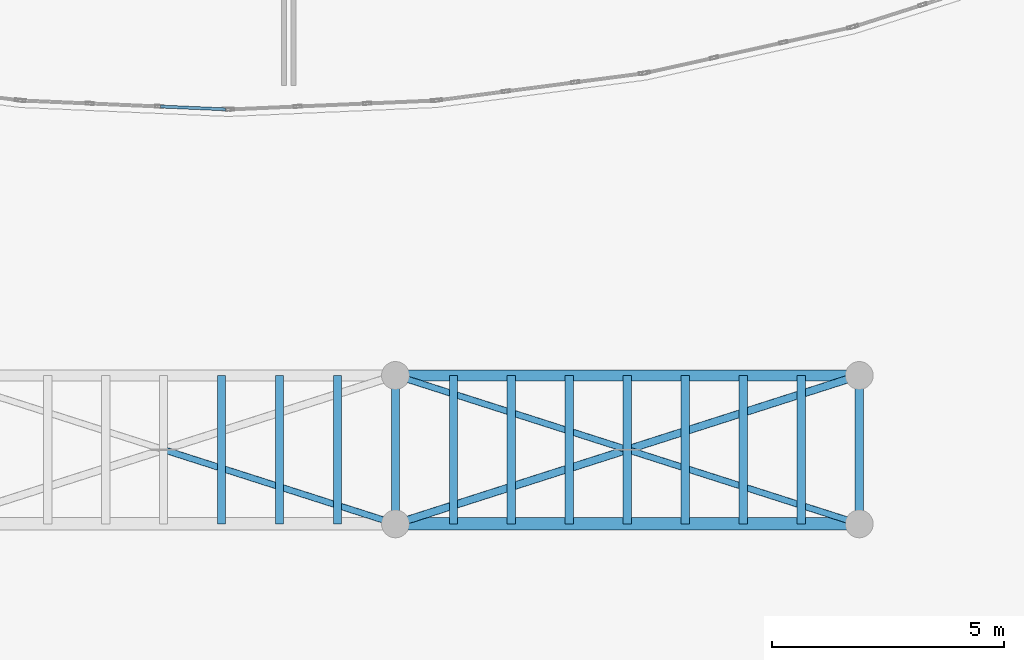
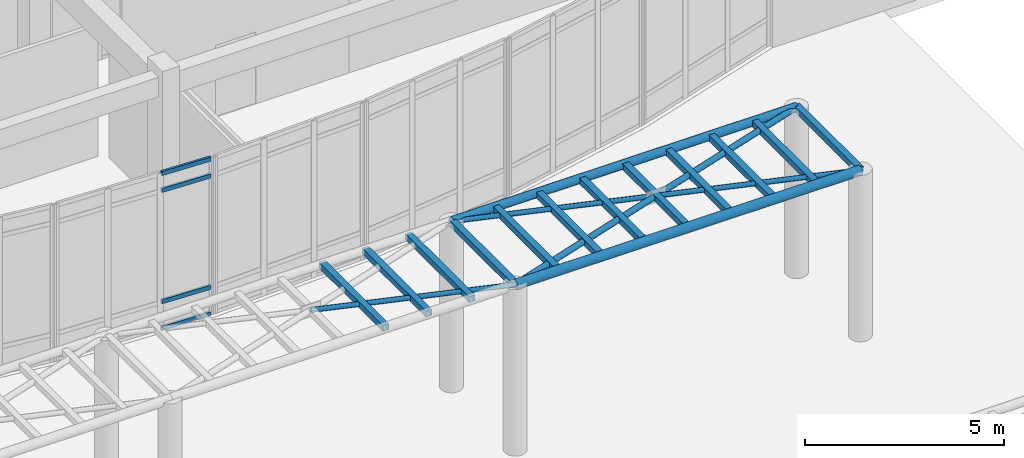
# One storey, part 56 of 121: 22 members, 1 element without a shape of its own.
"""IFC4 building model written with IfcOpenShell, lengths in metres."""

from ifc_helpers import new_model, si_unit, direction, frame, origin, origin_2d, place, context, subcontext, project, spatial, hollow_rectangle, hollow_circle, extrude, material, layer, layer_set, material_profile, profile_set, type_object, element, aggregate, save


model = new_model("IFC4")

# Units and contexts
model_context = context("Model", 3, precision=1e-05, world=origin(), true_north=direction((0.0, 1.0)))
body_context = subcontext(model_context, "Body", "Model", "MODEL_VIEW")
ifc_project = project(units=[si_unit("LENGTHUNIT", "METRE"), si_unit("AREAUNIT", "SQUARE_METRE"), si_unit("VOLUMEUNIT", "CUBIC_METRE"), si_unit("PLANEANGLEUNIT", "RADIAN"), si_unit("MASSUNIT", "GRAM", prefix="KILO")], contexts=[model_context])

# Site, building, storey
site_placement = place(None, origin())
site = spatial("IfcSite", under=ifc_project, at=site_placement, CompositionType="ELEMENT")
building_placement = place(site_placement, origin())
building = spatial("IfcBuilding", under=site, at=building_placement, Name="Valcora Specialist Clinic", CompositionType="ELEMENT")
storey_placement = place(building_placement, origin())
storey = spatial("IfcBuildingStorey", under=building, at=storey_placement, Name="L00", CompositionType="ELEMENT", Elevation=0.0)

# Curtain wall, members
ifc_material_1 = material(Name="Anodized Bronze Aluminium 6063-T6", Category="aluminium")
ifc_layer = layer(ifc_material_1, 0.175048828125)
ifc_layer_set = layer_set([ifc_layer], Name="Anodized Bronze Aluminium 6063-T6")
curtain_wall_type = type_object("IfcCurtainWallType", Name="TY-CW-ARC51", PredefinedType="NOTDEFINED", material=ifc_layer_set)
curtain_wall_placement = place(storey_placement, origin())
curtain_wall = element("IfcCurtainWall", 1, at=curtain_wall_placement, inside=storey, type_object=curtain_wall_type, Name="Curtain wall CW-L00-025", PredefinedType="NOTDEFINED")
ifc_material_profile_1 = material_profile(ifc_material_1, hollow_rectangle(XDim=0.06494140625, YDim=0.1298828125, WallThickness=0.00390625, at=origin_2d()), Name="AL-TRN-65X130")
ifc_profile_set_1 = profile_set([ifc_material_profile_1], Name="Anodized Bronze Aluminium 6063-T6")
member_type_1 = type_object("IfcMemberType", Name="TY-CWT-65X130", PredefinedType="USERDEFINED", material=ifc_profile_set_1)
member_1_placement = place(storey_placement, frame((110.3349609375, 70.93798828125, 0.032470703125), z_axis=(-0.999063713567, 0.043263104761, 0.0), x_axis=(-0.043263104761, -0.999063713567, 0.0)))
member_1 = element("IfcMember", 2, at=member_1_placement, type_object=member_type_1, Name="CW-ARC-51 transom 1.1", ObjectType="TRANSOM", PredefinedType="USERDEFINED", context=body_context, shape_type="SweptSolid", body=[
    extrude(hollow_rectangle(XDim=0.06494140625, YDim=0.1298828125, WallThickness=0.00390625, at=origin_2d()), origin(), (0.0, 0.0, 1.0), 1.3994140625),
])
member_2_placement = place(storey_placement, frame((110.3349609375, 70.93798828125, 0.85009765625), z_axis=(-0.999063713567, 0.043263104761, 0.0), x_axis=(-0.043263104761, -0.999063713567, 0.0)))
member_2 = element("IfcMember", 3, at=member_2_placement, type_object=member_type_1, Name="CW-ARC-51 transom 1.2", ObjectType="TRANSOM", PredefinedType="USERDEFINED", context=body_context, shape_type="SweptSolid", body=[
    extrude(hollow_rectangle(XDim=0.06494140625, YDim=0.1298828125, WallThickness=0.00390625, at=origin_2d()), origin(), (0.0, 0.0, 1.0), 1.3994140625),
])
member_3_placement = place(storey_placement, frame((110.3349609375, 70.93798828125, 4.260009765625), z_axis=(-0.999063713567, 0.043263104761, 0.0), x_axis=(-0.043263104761, -0.999063713567, 0.0)))
member_3 = element("IfcMember", 4, at=member_3_placement, type_object=member_type_1, Name="CW-ARC-51 transom 1.3", ObjectType="TRANSOM", PredefinedType="USERDEFINED", context=body_context, shape_type="SweptSolid", body=[
    extrude(hollow_rectangle(XDim=0.06494140625, YDim=0.1298828125, WallThickness=0.00390625, at=origin_2d()), origin(), (0.0, 0.0, 1.0), 1.3994140625),
])
member_4_placement = place(storey_placement, frame((110.3349609375, 70.93798828125, 4.777587890625), z_axis=(-0.999063713567, 0.043263104761, 0.0), x_axis=(-0.043263104761, -0.999063713567, 0.0)))
member_4 = element("IfcMember", 5, at=member_4_placement, type_object=member_type_1, Name="CW-ARC-51 transom 1.4", ObjectType="TRANSOM", PredefinedType="USERDEFINED", context=body_context, shape_type="SweptSolid", body=[
    extrude(hollow_rectangle(XDim=0.06494140625, YDim=0.1298828125, WallThickness=0.00390625, at=origin_2d()), origin(), (0.0, 0.0, 1.0), 1.3994140625),
])
aggregate(curtain_wall, [member_1, member_2, member_3, member_4])

# Members
ifc_material_2 = material(Name="Steel ASTM A500 Grade C", Category="steel")
ifc_material_profile_2 = material_profile(ifc_material_2, hollow_circle(Radius=0.1220703125, WallThickness=0.010009765625, at=origin_2d()), Name="ST-CHS-244X10")
ifc_profile_set_2 = profile_set([ifc_material_profile_2], Name="Steel ASTM A500 Grade C")
member_type_2 = type_object("IfcMemberType", Name="TY-MB-GSC244", PredefinedType="CHORD", material=ifc_profile_set_2)
member_5_placement = place(storey_placement, frame((114.0, 65.199951171875, 5.050048828125), z_axis=(1.0, 0.0, 0.0), x_axis=(0.0, 1.0, 0.0)))
element("IfcMember", 6, at=member_5_placement, inside=storey, type_object=member_type_2, Name="Garden pergola edge chord MB-L00-1034", PredefinedType="CHORD", context=body_context, shape_type="SweptSolid", body=[
    extrude(hollow_circle(Radius=0.1220703125, WallThickness=0.010009765625, at=origin_2d()), origin(), (0.0, 0.0, 1.0), 10.0),
])
ifc_material_profile_3 = material_profile(ifc_material_2, hollow_circle(Radius=0.136474609375, WallThickness=0.011962890625, at=origin_2d()), Name="ST-CHS-273X12")
ifc_profile_set_3 = profile_set([ifc_material_profile_3], Name="Steel ASTM A500 Grade C")
member_type_3 = type_object("IfcMemberType", Name="TY-MB-GSC273", PredefinedType="CHORD", material=ifc_profile_set_3)
member_6_placement = place(storey_placement, frame((114.0, 62.0, 5.050048828125), z_axis=(1.0, 0.0, 0.0), x_axis=(0.0, 1.0, 0.0)))
element("IfcMember", 7, at=member_6_placement, inside=storey, type_object=member_type_3, Name="Garden pergola main chord MB-L00-1033", PredefinedType="CHORD", context=body_context, shape_type="SweptSolid", body=[
    extrude(hollow_circle(Radius=0.136474609375, WallThickness=0.011962890625, at=origin_2d()), origin(), (0.0, 0.0, 1.0), 10.0),
])
ifc_material_profile_4 = material_profile(ifc_material_2, hollow_circle(Radius=0.070068359375, WallThickness=0.006103515625, at=origin_2d()), Name="ST-CHS-140X6")
ifc_profile_set_4 = profile_set([ifc_material_profile_4], Name="Steel ASTM A500 Grade C")
member_type_4 = type_object("IfcMemberType", Name="TY-MB-GSD140", PredefinedType="BRACE", material=ifc_profile_set_4)
for number, where, z_axis, x_axis, name in (
    (8, (114.0, 65.199951171875, 5.050048828125), (0.952432246511, -0.304750415595, 0.0), (0.304750415595, 0.952432246511, 0.0), "Garden pergola split counter brace A MB-L00-1036"),
    (9, (109.0, 63.60009765625, 5.050048828125), (0.952418747361, -0.304792601084, 0.0), (0.304792601084, 0.952418747361, 0.0), "Garden pergola split counter brace B 188"),
    (10, (119.0, 63.60009765625, 5.050048828125), (0.952418747361, -0.304792601084, 0.0), (0.304792601084, 0.952418747361, 0.0), "Garden pergola split counter brace B 189"),
):
    element("IfcMember", number, at=place(storey_placement, frame(where, z_axis=z_axis, x_axis=x_axis)), inside=storey, type_object=member_type_4, Name=name, PredefinedType="BRACE", context=body_context, shape_type="SweptSolid", body=[
        extrude(hollow_circle(Radius=0.070068359375, WallThickness=0.006103515625, at=origin_2d()), origin(), (0.0, 0.0, 1.0), 5.249755859375),
    ])
ifc_material_profile_5 = material_profile(ifc_material_2, hollow_circle(Radius=0.083984375, WallThickness=0.008056640625, at=origin_2d()), Name="ST-CHS-168X8")
ifc_profile_set_5 = profile_set([ifc_material_profile_5], Name="Steel ASTM A500 Grade C")
member_type_5 = type_object("IfcMemberType", Name="TY-MB-GSD168", PredefinedType="BRACE", material=ifc_profile_set_5)
member_7_placement = place(storey_placement, frame((114.0, 62.0, 5.050048828125), z_axis=(0.952425497122, 0.304771508564, 0.0), x_axis=(-0.304771508564, 0.952425497122, 0.0)))
element("IfcMember", 11, at=member_7_placement, inside=storey, type_object=member_type_5, Name="Garden pergola plan brace MB-L00-1035", PredefinedType="BRACE", context=body_context, shape_type="SweptSolid", body=[
    extrude(hollow_circle(Radius=0.083984375, WallThickness=0.008056640625, at=origin_2d()), origin(), (0.0, 0.0, 1.0), 10.49951171875),
])
ifc_material_profile_6 = material_profile(ifc_material_2, hollow_rectangle(XDim=0.179931640625, YDim=0.179931640625, WallThickness=0.008056640625, at=origin_2d()), Name="ST-RHS-180X180X8")
ifc_profile_set_6 = profile_set([ifc_material_profile_6], Name="Steel ASTM A500 Grade C")
member_type_6 = type_object("IfcMemberType", Name="TY-MB-PR180", PredefinedType="PURLIN", material=ifc_profile_set_6)
for number, where, z_axis, x_axis, name in (
    (12, (110.25, 62.0, 5.050048828125), (0.0, 1.0, 0.0), (-1.0, 0.0, 0.0), "Garden pergola purlin MB-L00-1030"),
    (13, (111.5, 62.0, 5.050048828125), (0.0, 1.0, 0.0), (-1.0, 0.0, 0.0), "Garden pergola purlin MB-L00-1031"),
    (14, (112.75, 62.0, 5.050048828125), (0.0, 1.0, 0.0), (-1.0, 0.0, 0.0), "Garden pergola purlin MB-L00-1032"),
    (15, (114.0, 62.0, 5.050048828125), (0.0, 1.0, 0.0), (-1.0, 0.0, 0.0), "Garden pergola purlin MB-L00-1037"),
    (16, (115.25, 62.0, 5.050048828125), (0.0, 1.0, 0.0), (-1.0, 0.0, 0.0), "Garden pergola purlin MB-L00-1038"),
    (17, (116.5, 62.0, 5.050048828125), (0.0, 1.0, 0.0), (-1.0, 0.0, 0.0), "Garden pergola purlin MB-L00-1039"),
    (18, (117.75, 62.0, 5.050048828125), (0.0, 1.0, 0.0), (-1.0, 0.0, 0.0), "Garden pergola purlin MB-L00-1040"),
    (19, (119.0, 62.0, 5.050048828125), (0.0, 1.0, 0.0), (-1.0, 0.0, 0.0), "Garden pergola purlin MB-L00-1041"),
    (20, (120.25, 62.0, 5.050048828125), (0.0, 1.0, 0.0), (-1.0, 0.0, 0.0), "Garden pergola purlin MB-L00-1042"),
    (21, (121.5, 62.0, 5.050048828125), (0.0, 1.0, 0.0), (-1.0, 0.0, 0.0), "Garden pergola purlin MB-L00-1043"),
    (22, (122.75, 62.0, 5.050048828125), (0.0, 1.0, 0.0), (-1.0, 0.0, 0.0), "Garden pergola purlin MB-L00-1044"),
    (23, (124.0, 62.0, 5.050048828125), (0.0, 1.0, 0.0), (-1.0, 0.0, 0.0), "Garden pergola purlin MB-L00-1045"),
):
    element("IfcMember", number, at=place(storey_placement, frame(where, z_axis=z_axis, x_axis=x_axis)), inside=storey, type_object=member_type_6, Name=name, PredefinedType="PURLIN", context=body_context, shape_type="SweptSolid", body=[
        extrude(hollow_rectangle(XDim=0.179931640625, YDim=0.179931640625, WallThickness=0.008056640625, at=origin_2d()), origin(), (0.0, 0.0, 1.0), 3.199951171875),
    ])

save(model, "model.ifc")
